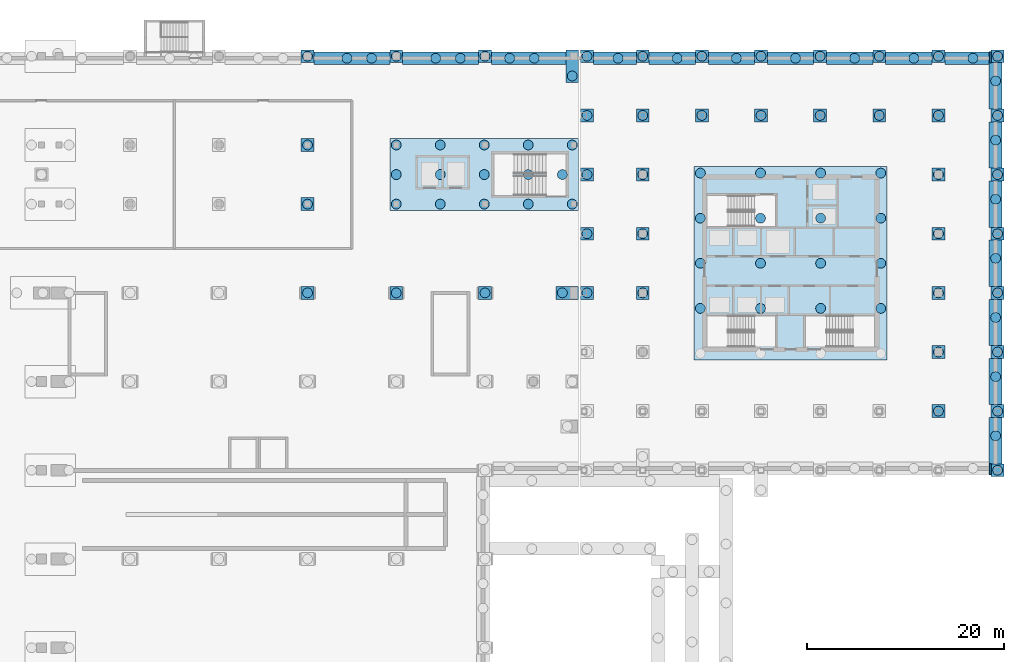
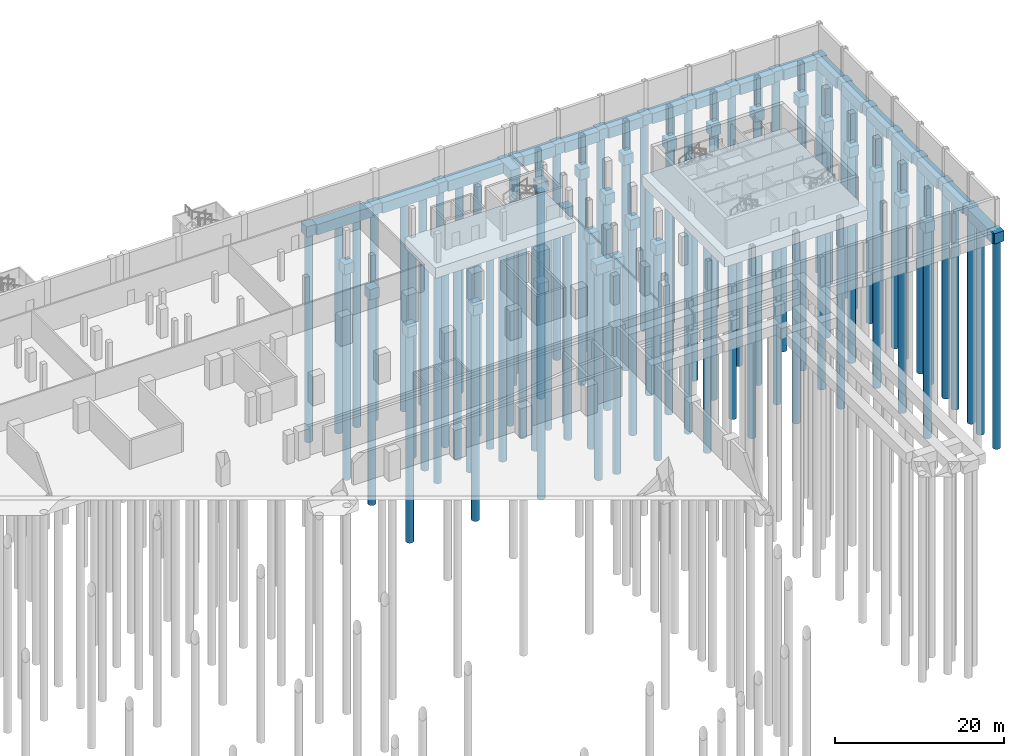
# One storey, part 5 of 29: 94 piles, 64 footings.
"""IFC4 building model written with IfcOpenShell, lengths in metres."""

from ifc_helpers import new_model, si_unit, direction, frame, origin, origin_2d, place, context, subcontext, project, spatial, rectangle, circle, extrude, material, material_profile, profile_set, type_object, element, save


model = new_model("IFC4")

# Units and contexts
model_context = context("Model", 3, precision=1e-05, world=origin(), true_north=direction((0.0, 1.0)))
body_context = subcontext(model_context, "Body", "Model", "MODEL_VIEW")
ifc_project = project(units=[si_unit("LENGTHUNIT", "METRE"), si_unit("AREAUNIT", "SQUARE_METRE"), si_unit("VOLUMEUNIT", "CUBIC_METRE"), si_unit("PLANEANGLEUNIT", "RADIAN"), si_unit("MASSUNIT", "GRAM", prefix="KILO")], contexts=[model_context])

# Site, building, storey
site_placement = place(None, origin())
site = spatial("IfcSite", under=ifc_project, at=site_placement, CompositionType="ELEMENT")
building_placement = place(site_placement, origin())
building = spatial("IfcBuilding", under=site, at=building_placement, Name="Aravalli Gate Trade Fair Centre", CompositionType="ELEMENT")
storey_placement = place(building_placement, frame((0.0, 0.0, -8.39990234375)))
storey = spatial("IfcBuildingStorey", under=building, at=storey_placement, Name="B2", CompositionType="ELEMENT", Elevation=-8.39990234375)

# Piles
ifc_material = material(Name="Concrete M35", Category="concrete")
ifc_material_profile = material_profile(ifc_material, circle(Radius=0.5, at=origin_2d()), Name="D1000")
ifc_profile_set = profile_set([ifc_material_profile], Name="Concrete M35")
pile_type = type_object("IfcPileType", Name="Basement bored pile D1000", PredefinedType="BORED", material=ifc_profile_set)
for number, where, z_axis, x_axis, name in (
    (1, (132.0, 109.0, -1.900146484375), (0.0, 0.0, -1.0), (1.0, 0.0, 0.0), "Basement bored pile W212-01"),
    (2, (141.0, 109.0, -1.900146484375), (0.0, 0.0, -1.0), (1.0, 0.0, 0.0), "Basement bored pile W213-01"),
    (3, (150.0, 109.0, -1.900146484375), (0.0, 0.0, -1.0), (1.0, 0.0, 0.0), "Basement bored pile W214-01"),
    (4, (157.85009765625, 109.0, -1.900146484375), (0.0, 0.0, -1.0), (1.0, 0.0, 0.0), "Basement bored pile W215-01"),
    (5, (132.0, 118.0, -1.900146484375), (0.0, 0.0, -1.0), (1.0, 0.0, 0.0), "Basement bored pile W229-01"),
    (6, (141.0, 118.0, -1.900146484375), (0.0, 0.0, -1.0), (1.0, 0.0, 0.0), "Basement bored pile W230-01"),
    (7, (141.0, 121.0, -1.900146484375), (0.0, 0.0, -1.0), (1.0, 0.0, 0.0), "Basement bored pile W230-02"),
    (8, (141.0, 124.0, -1.900146484375), (0.0, 0.0, -1.0), (1.0, 0.0, 0.0), "Basement bored pile W230-03"),
    (9, (145.46240234375, 118.0, -1.900146484375), (0.0, 0.0, -1.0), (1.0, 0.0, 0.0), "Basement bored pile W230-04"),
    (10, (145.46240234375, 121.0, -1.900146484375), (0.0, 0.0, -1.0), (1.0, 0.0, 0.0), "Basement bored pile W230-05"),
    (11, (145.46240234375, 124.0, -1.900146484375), (0.0, 0.0, -1.0), (1.0, 0.0, 0.0), "Basement bored pile W230-06"),
    (12, (149.925048828125, 118.0, -1.900146484375), (0.0, 0.0, -1.0), (1.0, 0.0, 0.0), "Basement bored pile W230-07"),
    (13, (149.925048828125, 121.0, -1.900146484375), (0.0, 0.0, -1.0), (1.0, 0.0, 0.0), "Basement bored pile W230-08"),
    (14, (149.925048828125, 124.0, -1.900146484375), (0.0, 0.0, -1.0), (1.0, 0.0, 0.0), "Basement bored pile W230-09"),
    (15, (154.387451171875, 118.0, -1.900146484375), (0.0, 0.0, -1.0), (1.0, 0.0, 0.0), "Basement bored pile W230-10"),
    (16, (154.387451171875, 121.0, -1.900146484375), (0.0, 0.0, -1.0), (1.0, 0.0, 0.0), "Basement bored pile W230-11"),
    (17, (154.387451171875, 124.0, -1.900146484375), (0.0, 0.0, -1.0), (1.0, 0.0, 0.0), "Basement bored pile W230-12"),
    (18, (157.85009765625, 121.0, -1.900146484375), (0.0, 0.0, -1.0), (1.0, 0.0, 0.0), "Basement bored pile W230-13"),
    (19, (158.85009765625, 118.0, -1.900146484375), (0.0, 0.0, -1.0), (1.0, 0.0, 0.0), "Basement bored pile W230-14"),
    (20, (158.85009765625, 124.0, -1.900146484375), (0.0, 0.0, -1.0), (1.0, 0.0, 0.0), "Basement bored pile W230-15"),
    (21, (132.0, 124.0, -1.900146484375), (0.0, 0.0, -1.0), (1.0, 0.0, 0.0), "Basement bored pile W251-01"),
    (22, (158.85009765625, 131.0, -1.900146484375), (0.0, 0.0, -1.0), (1.0, 0.0, 0.0), "Basement bored pile W258-01"),
    (23, (136.0, 132.800048828125, -1.900146484375), (0.0, 0.0, -1.0), (1.0, 0.0, 0.0), "Basement bored pile W274-01"),
    (24, (138.5, 132.800048828125, -1.900146484375), (0.0, 0.0, -1.0), (1.0, 0.0, 0.0), "Basement bored pile W274-02"),
    (25, (145.0, 132.800048828125, -1.900146484375), (0.0, 0.0, -1.0), (1.0, 0.0, 0.0), "Basement bored pile W275-01"),
    (26, (147.5, 132.800048828125, -1.900146484375), (0.0, 0.0, -1.0), (1.0, 0.0, 0.0), "Basement bored pile W275-02"),
    (27, (152.5, 132.800048828125, -1.900146484375), (0.0, 0.0, -1.0), (1.0, 0.0, 0.0), "Basement bored pile W276-01"),
    (28, (155.0, 132.800048828125, -1.900146484375), (0.0, 0.0, -1.0), (1.0, 0.0, 0.0), "Basement bored pile W276-02"),
    (29, (132.0, 133.0, -1.900146484375), (0.0, 0.0, -1.0), (1.0, 0.0, 0.0), "Basement bored pile W290-01"),
    (30, (141.0, 133.0, -1.900146484375), (0.0, 0.0, -1.0), (1.0, 0.0, 0.0), "Basement bored pile W291-01"),
    (31, (150.0, 133.0, -1.900146484375), (0.0, 0.0, -1.0), (1.0, 0.0, 0.0), "Basement bored pile W292-01"),
    (32, (202.0, 91.0, -1.900146484375), (0.0, 0.0, -1.0), (1.0, 0.0, 0.0), "Basement bored pile E031-01"),
    (33, (201.800048828125, 94.5, -1.900146484375), (0.0, 0.0, -1.0), (1.0, 0.0, 0.0), "Basement bored pile E039-01"),
    (34, (196.0, 97.0, -1.900146484375), (0.0, 0.0, -1.0), (1.0, 0.0, 0.0), "Basement bored pile E046-01"),
    (35, (202.0, 97.0, -1.900146484375), (0.0, 0.0, -1.0), (1.0, 0.0, 0.0), "Basement bored pile E047-01"),
    (36, (201.800048828125, 100.5, -1.900146484375), (0.0, 0.0, -1.0), (1.0, 0.0, 0.0), "Basement bored pile E048-01"),
    (37, (171.85009765625, 107.425048828125, -1.900146484375), (0.0, 0.0, -1.0), (1.0, 0.0, 0.0), "Basement bored pile E049-02"),
    (38, (171.85009765625, 112.0, -1.900146484375), (0.0, 0.0, -1.0), (1.0, 0.0, 0.0), "Basement bored pile E049-03"),
    (39, (171.85009765625, 116.574951171875, -1.900146484375), (0.0, 0.0, -1.0), (1.0, 0.0, 0.0), "Basement bored pile E049-04"),
    (40, (171.85009765625, 121.14990234375, -1.900146484375), (0.0, 0.0, -1.0), (1.0, 0.0, 0.0), "Basement bored pile E049-05"),
    (41, (177.949951171875, 107.425048828125, -1.900146484375), (0.0, 0.0, -1.0), (1.0, 0.0, 0.0), "Basement bored pile E049-07"),
    (42, (177.949951171875, 112.0, -1.900146484375), (0.0, 0.0, -1.0), (1.0, 0.0, 0.0), "Basement bored pile E049-08"),
    (43, (177.949951171875, 116.574951171875, -1.900146484375), (0.0, 0.0, -1.0), (1.0, 0.0, 0.0), "Basement bored pile E049-09"),
    (44, (177.949951171875, 121.14990234375, -1.900146484375), (0.0, 0.0, -1.0), (1.0, 0.0, 0.0), "Basement bored pile E049-10"),
    (45, (184.050048828125, 107.425048828125, -1.900146484375), (0.0, 0.0, -1.0), (1.0, 0.0, 0.0), "Basement bored pile E049-12"),
    (46, (184.050048828125, 112.0, -1.900146484375), (0.0, 0.0, -1.0), (1.0, 0.0, 0.0), "Basement bored pile E049-13"),
    (47, (184.050048828125, 116.574951171875, -1.900146484375), (0.0, 0.0, -1.0), (1.0, 0.0, 0.0), "Basement bored pile E049-14"),
    (48, (184.050048828125, 121.14990234375, -1.900146484375), (0.0, 0.0, -1.0), (1.0, 0.0, 0.0), "Basement bored pile E049-15"),
    (49, (190.14990234375, 107.425048828125, -1.900146484375), (0.0, 0.0, -1.0), (1.0, 0.0, 0.0), "Basement bored pile E049-17"),
    (50, (190.14990234375, 112.0, -1.900146484375), (0.0, 0.0, -1.0), (1.0, 0.0, 0.0), "Basement bored pile E049-18"),
    (51, (190.14990234375, 116.574951171875, -1.900146484375), (0.0, 0.0, -1.0), (1.0, 0.0, 0.0), "Basement bored pile E049-19"),
    (52, (190.14990234375, 121.14990234375, -1.900146484375), (0.0, 0.0, -1.0), (1.0, 0.0, 0.0), "Basement bored pile E049-20"),
    (53, (196.0, 103.0, -1.900146484375), (0.0, 0.0, -1.0), (1.0, 0.0, 0.0), "Basement bored pile E052-01"),
    (54, (202.0, 103.0, -1.900146484375), (0.0, 0.0, -1.0), (1.0, 0.0, 0.0), "Basement bored pile E053-01"),
    (55, (201.800048828125, 106.5, -1.900146484375), (0.0, 0.0, -1.0), (1.0, 0.0, 0.0), "Basement bored pile E054-01"),
    (56, (160.35009765625, 109.0, -1.900146484375), (0.0, 0.0, -1.0), (1.0, 0.0, 0.0), "Basement bored pile E055-01"),
    (57, (166.0, 109.0, -1.900146484375), (0.0, 0.0, -1.0), (1.0, 0.0, 0.0), "Basement bored pile E056-01"),
    (58, (196.0, 109.0, -1.900146484375), (0.0, 0.0, -1.0), (1.0, 0.0, 0.0), "Basement bored pile E057-01"),
    (59, (202.0, 109.0, -1.900146484375), (0.0, 0.0, -1.0), (1.0, 0.0, 0.0), "Basement bored pile E058-01"),
    (60, (201.800048828125, 112.5, -1.900146484375), (0.0, 0.0, -1.0), (1.0, 0.0, 0.0), "Basement bored pile E059-01"),
    (61, (160.35009765625, 115.0, -1.900146484375), (0.0, 0.0, -1.0), (1.0, 0.0, 0.0), "Basement bored pile E060-01"),
    (62, (166.0, 115.0, -1.900146484375), (0.0, 0.0, -1.0), (1.0, 0.0, 0.0), "Basement bored pile E061-01"),
    (63, (196.0, 115.0, -1.900146484375), (0.0, 0.0, -1.0), (1.0, 0.0, 0.0), "Basement bored pile E062-01"),
    (64, (202.0, 115.0, -1.900146484375), (0.0, 0.0, -1.0), (1.0, 0.0, 0.0), "Basement bored pile E063-01"),
    (65, (201.800048828125, 118.5, -1.900146484375), (0.0, 0.0, -1.0), (1.0, 0.0, 0.0), "Basement bored pile E064-01"),
    (66, (160.35009765625, 121.0, -1.900146484375), (0.0, 0.0, -1.0), (1.0, 0.0, 0.0), "Basement bored pile E065-01"),
    (67, (166.0, 121.0, -1.900146484375), (0.0, 0.0, -1.0), (1.0, 0.0, 0.0), "Basement bored pile E066-01"),
    (68, (196.0, 121.0, -1.900146484375), (0.0, 0.0, -1.0), (1.0, 0.0, 0.0), "Basement bored pile E067-01"),
    (69, (202.0, 121.0, -1.900146484375), (0.0, 0.0, -1.0), (1.0, 0.0, 0.0), "Basement bored pile E068-01"),
    (70, (201.800048828125, 124.5, -1.900146484375), (0.0, 0.0, -1.0), (1.0, 0.0, 0.0), "Basement bored pile E069-01"),
    (71, (160.35009765625, 127.0, -1.900146484375), (0.0, 0.0, -1.0), (1.0, 0.0, 0.0), "Basement bored pile E070-01"),
    (72, (166.0, 127.0, -1.900146484375), (0.0, 0.0, -1.0), (1.0, 0.0, 0.0), "Basement bored pile E071-01"),
    (73, (172.0, 127.0, -1.900146484375), (0.0, 0.0, -1.0), (1.0, 0.0, 0.0), "Basement bored pile E072-01"),
    (74, (178.0, 127.0, -1.900146484375), (0.0, 0.0, -1.0), (1.0, 0.0, 0.0), "Basement bored pile E073-01"),
    (75, (184.0, 127.0, -1.900146484375), (0.0, 0.0, -1.0), (1.0, 0.0, 0.0), "Basement bored pile E074-01"),
    (76, (190.0, 127.0, -1.900146484375), (0.0, 0.0, -1.0), (1.0, 0.0, 0.0), "Basement bored pile E075-01"),
    (77, (196.0, 127.0, -1.900146484375), (0.0, 0.0, -1.0), (1.0, 0.0, 0.0), "Basement bored pile E076-01"),
    (78, (202.0, 127.0, -1.900146484375), (0.0, 0.0, -1.0), (1.0, 0.0, 0.0), "Basement bored pile E077-01"),
    (79, (201.800048828125, 130.5, -1.900146484375), (0.0, 0.0, -1.0), (1.0, 0.0, 0.0), "Basement bored pile E078-01"),
    (80, (163.5, 132.800048828125, -1.900146484375), (0.0, 0.0, -1.0), (1.0, 0.0, 0.0), "Basement bored pile E079-01"),
    (81, (169.5, 132.800048828125, -1.900146484375), (0.0, 0.0, -1.0), (1.0, 0.0, 0.0), "Basement bored pile E080-01"),
    (82, (175.5, 132.800048828125, -1.900146484375), (0.0, 0.0, -1.0), (1.0, 0.0, 0.0), "Basement bored pile E081-01"),
    (83, (181.5, 132.800048828125, -1.900146484375), (0.0, 0.0, -1.0), (1.0, 0.0, 0.0), "Basement bored pile E082-01"),
    (84, (187.5, 132.800048828125, -1.900146484375), (0.0, 0.0, -1.0), (1.0, 0.0, 0.0), "Basement bored pile E083-01"),
    (85, (193.5, 132.800048828125, -1.900146484375), (0.0, 0.0, -1.0), (1.0, 0.0, 0.0), "Basement bored pile E084-01"),
    (86, (199.5, 132.800048828125, -1.900146484375), (0.0, 0.0, -1.0), (1.0, 0.0, 0.0), "Basement bored pile E085-01"),
    (87, (160.35009765625, 133.0, -1.900146484375), (0.0, 0.0, -1.0), (1.0, 0.0, 0.0), "Basement bored pile E086-01"),
    (88, (166.0, 133.0, -1.900146484375), (0.0, 0.0, -1.0), (1.0, 0.0, 0.0), "Basement bored pile E087-01"),
    (89, (172.0, 133.0, -1.900146484375), (0.0, 0.0, -1.0), (1.0, 0.0, 0.0), "Basement bored pile E088-01"),
    (90, (178.0, 133.0, -1.900146484375), (0.0, 0.0, -1.0), (1.0, 0.0, 0.0), "Basement bored pile E089-01"),
    (91, (184.0, 133.0, -1.900146484375), (0.0, 0.0, -1.0), (1.0, 0.0, 0.0), "Basement bored pile E090-01"),
    (92, (190.0, 133.0, -1.900146484375), (0.0, 0.0, -1.0), (1.0, 0.0, 0.0), "Basement bored pile E091-01"),
    (93, (196.0, 133.0, -1.900146484375), (0.0, 0.0, -1.0), (1.0, 0.0, 0.0), "Basement bored pile E092-01"),
    (94, (202.0, 133.0, -1.900146484375), (0.0, 0.0, -1.0), (1.0, 0.0, 0.0), "Basement bored pile E093-01"),
):
    element("IfcPile", number, at=place(storey_placement, frame(where, z_axis=z_axis, x_axis=x_axis)), inside=storey, type_object=pile_type, Name=name, PredefinedType="BORED", context=body_context, shape_type="SweptSolid", body=[
        extrude(circle(Radius=0.5, at=origin_2d()), origin(), (0.0, 0.0, 1.0), 30.0),
    ])

# Footings
footing_type_1 = type_object("IfcFootingType", Name="Basement ground beam 0.2 x 1.1", PredefinedType="FOOTING_BEAM", material=ifc_material)
for number, where, z_axis, x_axis, name in (
    (95, (201.25, 91.10009765625, -1.900146484375), (0.0, 0.0, 1.0), (1.0, 0.0, 0.0), "Basement pile cap E108"),
    (96, (201.25, 132.89990234375, -1.900146484375), (0.0, 0.0, 1.0), (1.0, 0.0, 0.0), "Basement pile cap E109"),
):
    element("IfcFooting", number, at=place(storey_placement, frame(where, z_axis=z_axis, x_axis=x_axis)), inside=storey, type_object=footing_type_1, Name=name, PredefinedType="FOOTING_BEAM", context=body_context, shape_type="SweptSolid", body=[
        extrude(rectangle(XDim=0.199951171875, YDim=1.10009765625, at=origin_2d()), origin(), (0.0, 0.0, 1.0), 1.5),
    ])
footing_type_2 = type_object("IfcFootingType", Name="Basement pile cap 1.3 x 1.3 (1 x 1 piles)", PredefinedType="PILE_CAP", material=ifc_material)
for number, where, z_axis, x_axis, name in (
    (97, (132.0, 109.0, -1.900146484375), (0.0, 0.0, 1.0), (1.0, 0.0, 0.0), "Basement pile cap W212"),
    (98, (141.0, 109.0, -1.900146484375), (0.0, 0.0, 1.0), (1.0, 0.0, 0.0), "Basement pile cap W213"),
    (99, (150.0, 109.0, -1.900146484375), (0.0, 0.0, 1.0), (1.0, 0.0, 0.0), "Basement pile cap W214"),
    (100, (132.0, 118.0, -1.900146484375), (0.0, 0.0, 1.0), (1.0, 0.0, 0.0), "Basement pile cap W229"),
    (101, (132.0, 124.0, -1.900146484375), (0.0, 0.0, 1.0), (1.0, 0.0, 0.0), "Basement pile cap W251"),
    (102, (132.0, 133.0, -1.900146484375), (0.0, 0.0, 1.0), (1.0, 0.0, 0.0), "Basement pile cap W290"),
    (103, (141.0, 133.0, -1.900146484375), (0.0, 0.0, 1.0), (1.0, 0.0, 0.0), "Basement pile cap W291"),
    (104, (150.0, 133.0, -1.900146484375), (0.0, 0.0, 1.0), (1.0, 0.0, 0.0), "Basement pile cap W292"),
    (105, (202.0, 91.0, -1.900146484375), (0.0, 0.0, 1.0), (1.0, 0.0, 0.0), "Basement pile cap E031"),
    (106, (196.0, 97.0, -1.900146484375), (0.0, 0.0, 1.0), (1.0, 0.0, 0.0), "Basement pile cap E046"),
    (107, (202.0, 97.0, -1.900146484375), (0.0, 0.0, 1.0), (1.0, 0.0, 0.0), "Basement pile cap E047"),
    (108, (196.0, 103.0, -1.900146484375), (0.0, 0.0, 1.0), (1.0, 0.0, 0.0), "Basement pile cap E052"),
    (109, (202.0, 103.0, -1.900146484375), (0.0, 0.0, 1.0), (1.0, 0.0, 0.0), "Basement pile cap E053"),
    (110, (160.35009765625, 109.0, -1.900146484375), (0.0, 0.0, 1.0), (1.0, 0.0, 0.0), "Basement pile cap E055"),
    (111, (166.0, 109.0, -1.900146484375), (0.0, 0.0, 1.0), (1.0, 0.0, 0.0), "Basement pile cap E056"),
    (112, (196.0, 109.0, -1.900146484375), (0.0, 0.0, 1.0), (1.0, 0.0, 0.0), "Basement pile cap E057"),
    (113, (202.0, 109.0, -1.900146484375), (0.0, 0.0, 1.0), (1.0, 0.0, 0.0), "Basement pile cap E058"),
    (114, (160.35009765625, 115.0, -1.900146484375), (0.0, 0.0, 1.0), (1.0, 0.0, 0.0), "Basement pile cap E060"),
    (115, (166.0, 115.0, -1.900146484375), (0.0, 0.0, 1.0), (1.0, 0.0, 0.0), "Basement pile cap E061"),
    (116, (196.0, 115.0, -1.900146484375), (0.0, 0.0, 1.0), (1.0, 0.0, 0.0), "Basement pile cap E062"),
    (117, (202.0, 115.0, -1.900146484375), (0.0, 0.0, 1.0), (1.0, 0.0, 0.0), "Basement pile cap E063"),
    (118, (160.35009765625, 121.0, -1.900146484375), (0.0, 0.0, 1.0), (1.0, 0.0, 0.0), "Basement pile cap E065"),
    (119, (166.0, 121.0, -1.900146484375), (0.0, 0.0, 1.0), (1.0, 0.0, 0.0), "Basement pile cap E066"),
    (120, (196.0, 121.0, -1.900146484375), (0.0, 0.0, 1.0), (1.0, 0.0, 0.0), "Basement pile cap E067"),
    (121, (202.0, 121.0, -1.900146484375), (0.0, 0.0, 1.0), (1.0, 0.0, 0.0), "Basement pile cap E068"),
    (122, (160.35009765625, 127.0, -1.900146484375), (0.0, 0.0, 1.0), (1.0, 0.0, 0.0), "Basement pile cap E070"),
    (123, (166.0, 127.0, -1.900146484375), (0.0, 0.0, 1.0), (1.0, 0.0, 0.0), "Basement pile cap E071"),
    (124, (172.0, 127.0, -1.900146484375), (0.0, 0.0, 1.0), (1.0, 0.0, 0.0), "Basement pile cap E072"),
    (125, (178.0, 127.0, -1.900146484375), (0.0, 0.0, 1.0), (1.0, 0.0, 0.0), "Basement pile cap E073"),
    (126, (184.0, 127.0, -1.900146484375), (0.0, 0.0, 1.0), (1.0, 0.0, 0.0), "Basement pile cap E074"),
    (127, (190.0, 127.0, -1.900146484375), (0.0, 0.0, 1.0), (1.0, 0.0, 0.0), "Basement pile cap E075"),
    (128, (196.0, 127.0, -1.900146484375), (0.0, 0.0, 1.0), (1.0, 0.0, 0.0), "Basement pile cap E076"),
    (129, (202.0, 127.0, -1.900146484375), (0.0, 0.0, 1.0), (1.0, 0.0, 0.0), "Basement pile cap E077"),
    (130, (160.35009765625, 133.0, -1.900146484375), (0.0, 0.0, 1.0), (1.0, 0.0, 0.0), "Basement pile cap E086"),
    (131, (166.0, 133.0, -1.900146484375), (0.0, 0.0, 1.0), (1.0, 0.0, 0.0), "Basement pile cap E087"),
    (132, (172.0, 133.0, -1.900146484375), (0.0, 0.0, 1.0), (1.0, 0.0, 0.0), "Basement pile cap E088"),
    (133, (178.0, 133.0, -1.900146484375), (0.0, 0.0, 1.0), (1.0, 0.0, 0.0), "Basement pile cap E089"),
    (134, (184.0, 133.0, -1.900146484375), (0.0, 0.0, 1.0), (1.0, 0.0, 0.0), "Basement pile cap E090"),
    (135, (190.0, 133.0, -1.900146484375), (0.0, 0.0, 1.0), (1.0, 0.0, 0.0), "Basement pile cap E091"),
    (136, (196.0, 133.0, -1.900146484375), (0.0, 0.0, 1.0), (1.0, 0.0, 0.0), "Basement pile cap E092"),
    (137, (202.0, 133.0, -1.900146484375), (0.0, 0.0, 1.0), (1.0, 0.0, 0.0), "Basement pile cap E093"),
):
    element("IfcFooting", number, at=place(storey_placement, frame(where, z_axis=z_axis, x_axis=x_axis)), inside=storey, type_object=footing_type_2, Name=name, PredefinedType="PILE_CAP", context=body_context, shape_type="SweptSolid", body=[
        extrude(rectangle(XDim=1.300048828125, YDim=1.300048828125, at=origin_2d()), origin(), (0.0, 0.0, 1.0), 1.5),
    ])
footing_type_3 = type_object("IfcFootingType", Name="Basement pile cap 1.3 x 3.3 (1 x 1 piles)", PredefinedType="PILE_CAP", material=ifc_material)
footing_1_placement = place(storey_placement, frame((158.85009765625, 132.0, -1.900146484375), z_axis=(0.0, 0.0, 1.0), x_axis=(1.0, 0.0, 0.0)))
element("IfcFooting", 138, at=footing_1_placement, inside=storey, type_object=footing_type_3, Name="Basement pile cap W258", PredefinedType="PILE_CAP", context=body_context, shape_type="SweptSolid", body=[
    extrude(rectangle(XDim=1.300048828125, YDim=3.300048828125, at=origin_2d()), origin(), (0.0, 0.0, 1.0), 1.5),
])
footing_type_4 = type_object("IfcFootingType", Name="Basement pile cap 1.3 x 4.7 (1 x 1 piles)", PredefinedType="PILE_CAP", material=ifc_material)
for number, where, z_axis, x_axis, name in (
    (139, (201.800048828125, 94.0, -1.900146484375), (0.0, 0.0, 1.0), (1.0, 0.0, 0.0), "Basement pile cap E039"),
    (140, (201.800048828125, 100.0, -1.900146484375), (0.0, 0.0, 1.0), (1.0, 0.0, 0.0), "Basement pile cap E048"),
    (141, (201.800048828125, 106.0, -1.900146484375), (0.0, 0.0, 1.0), (1.0, 0.0, 0.0), "Basement pile cap E054"),
    (142, (201.800048828125, 112.0, -1.900146484375), (0.0, 0.0, 1.0), (1.0, 0.0, 0.0), "Basement pile cap E059"),
    (143, (201.800048828125, 118.0, -1.900146484375), (0.0, 0.0, 1.0), (1.0, 0.0, 0.0), "Basement pile cap E064"),
    (144, (201.800048828125, 124.0, -1.900146484375), (0.0, 0.0, 1.0), (1.0, 0.0, 0.0), "Basement pile cap E069"),
    (145, (201.800048828125, 130.0, -1.900146484375), (0.0, 0.0, 1.0), (1.0, 0.0, 0.0), "Basement pile cap E078"),
):
    element("IfcFooting", number, at=place(storey_placement, frame(where, z_axis=z_axis, x_axis=x_axis)), inside=storey, type_object=footing_type_4, Name=name, PredefinedType="PILE_CAP", context=body_context, shape_type="SweptSolid", body=[
        extrude(rectangle(XDim=1.300048828125, YDim=4.699951171875, at=origin_2d()), origin(), (0.0, 0.0, 1.0), 1.5),
    ])
footing_type_5 = type_object("IfcFootingType", Name="Basement pile cap 19.15 x 7.3 (5 x 3 piles)", PredefinedType="PILE_CAP", material=ifc_material)
footing_2_placement = place(storey_placement, frame((149.925048828125, 121.0, -1.900146484375), z_axis=(0.0, 0.0, 1.0), x_axis=(1.0, 0.0, 0.0)))
element("IfcFooting", 146, at=footing_2_placement, inside=storey, type_object=footing_type_5, Name="Basement pile cap W230", PredefinedType="PILE_CAP", context=body_context, shape_type="SweptSolid", body=[
    extrude(rectangle(XDim=19.14990234375, YDim=7.300048828125, at=origin_2d()), origin(), (0.0, 0.0, 1.0), 1.5),
])
footing_type_6 = type_object("IfcFootingType", Name="Basement pile cap 19.6 x 19.6 (4 x 5 piles)", PredefinedType="PILE_CAP", material=ifc_material)
footing_3_placement = place(storey_placement, frame((181.0, 112.0, -1.900146484375), z_axis=(0.0, 0.0, 1.0), x_axis=(1.0, 0.0, 0.0)))
element("IfcFooting", 147, at=footing_3_placement, inside=storey, type_object=footing_type_6, Name="Basement pile cap E049", PredefinedType="PILE_CAP", context=body_context, shape_type="SweptSolid", body=[
    extrude(rectangle(XDim=19.60009765625, YDim=19.60009765625, at=origin_2d()), origin(), (0.0, 0.0, 1.0), 1.5),
])
footing_type_7 = type_object("IfcFootingType", Name="Basement pile cap 2.3 x 1.3 (1 x 1 piles)", PredefinedType="PILE_CAP", material=ifc_material)
footing_4_placement = place(storey_placement, frame((158.35009765625, 109.0, -1.900146484375), z_axis=(0.0, 0.0, 1.0), x_axis=(1.0, 0.0, 0.0)))
element("IfcFooting", 148, at=footing_4_placement, inside=storey, type_object=footing_type_7, Name="Basement pile cap W215", PredefinedType="PILE_CAP", context=body_context, shape_type="SweptSolid", body=[
    extrude(rectangle(XDim=2.300048828125, YDim=1.300048828125, at=origin_2d()), origin(), (0.0, 0.0, 1.0), 1.5),
])
footing_type_8 = type_object("IfcFootingType", Name="Basement pile cap 4.35 x 1.3 (1 x 1 piles)", PredefinedType="PILE_CAP", material=ifc_material)
footing_5_placement = place(storey_placement, frame((163.175048828125, 132.800048828125, -1.900146484375), z_axis=(0.0, 0.0, 1.0), x_axis=(1.0, 0.0, 0.0)))
element("IfcFooting", 149, at=footing_5_placement, inside=storey, type_object=footing_type_8, Name="Basement pile cap E079", PredefinedType="PILE_CAP", context=body_context, shape_type="SweptSolid", body=[
    extrude(rectangle(XDim=4.35009765625, YDim=1.300048828125, at=origin_2d()), origin(), (0.0, 0.0, 1.0), 1.5),
])
footing_type_9 = type_object("IfcFootingType", Name="Basement pile cap 4.5 x 1.3 (1 x 1 piles)", PredefinedType="PILE_CAP", material=ifc_material)
footing_6_placement = place(storey_placement, frame((198.89990234375, 132.800048828125, -1.900146484375), z_axis=(0.0, 0.0, 1.0), x_axis=(1.0, 0.0, 0.0)))
element("IfcFooting", 150, at=footing_6_placement, inside=storey, type_object=footing_type_9, Name="Basement pile cap E085", PredefinedType="PILE_CAP", context=body_context, shape_type="SweptSolid", body=[
    extrude(rectangle(XDim=4.5, YDim=1.300048828125, at=origin_2d()), origin(), (0.0, 0.0, 1.0), 1.5),
])
footing_type_10 = type_object("IfcFootingType", Name="Basement pile cap 4.7 x 1.3 (1 x 1 piles)", PredefinedType="PILE_CAP", material=ifc_material)
for number, where, z_axis, x_axis, name in (
    (151, (169.0, 132.800048828125, -1.900146484375), (0.0, 0.0, 1.0), (1.0, 0.0, 0.0), "Basement pile cap E080"),
    (152, (175.0, 132.800048828125, -1.900146484375), (0.0, 0.0, 1.0), (1.0, 0.0, 0.0), "Basement pile cap E081"),
    (153, (181.0, 132.800048828125, -1.900146484375), (0.0, 0.0, 1.0), (1.0, 0.0, 0.0), "Basement pile cap E082"),
    (154, (187.0, 132.800048828125, -1.900146484375), (0.0, 0.0, 1.0), (1.0, 0.0, 0.0), "Basement pile cap E083"),
    (155, (193.0, 132.800048828125, -1.900146484375), (0.0, 0.0, 1.0), (1.0, 0.0, 0.0), "Basement pile cap E084"),
):
    element("IfcFooting", number, at=place(storey_placement, frame(where, z_axis=z_axis, x_axis=x_axis)), inside=storey, type_object=footing_type_10, Name=name, PredefinedType="PILE_CAP", context=body_context, shape_type="SweptSolid", body=[
        extrude(rectangle(XDim=4.699951171875, YDim=1.300048828125, at=origin_2d()), origin(), (0.0, 0.0, 1.0), 1.5),
    ])
footing_type_11 = type_object("IfcFootingType", Name="Basement pile cap 7.55 x 1.3 (2 x 1 piles)", PredefinedType="PILE_CAP", material=ifc_material)
footing_7_placement = place(storey_placement, frame((154.425048828125, 132.800048828125, -1.900146484375), z_axis=(0.0, 0.0, 1.0), x_axis=(1.0, 0.0, 0.0)))
element("IfcFooting", 156, at=footing_7_placement, inside=storey, type_object=footing_type_11, Name="Basement pile cap W276", PredefinedType="PILE_CAP", context=body_context, shape_type="SweptSolid", body=[
    extrude(rectangle(XDim=7.550048828125, YDim=1.300048828125, at=origin_2d()), origin(), (0.0, 0.0, 1.0), 1.5),
])
footing_type_12 = type_object("IfcFootingType", Name="Basement pile cap 7.7 x 1.3 (2 x 1 piles)", PredefinedType="PILE_CAP", material=ifc_material)
for number, where, z_axis, x_axis, name in (
    (157, (136.5, 132.800048828125, -1.900146484375), (0.0, 0.0, 1.0), (1.0, 0.0, 0.0), "Basement pile cap W274"),
    (158, (145.5, 132.800048828125, -1.900146484375), (0.0, 0.0, 1.0), (1.0, 0.0, 0.0), "Basement pile cap W275"),
):
    element("IfcFooting", number, at=place(storey_placement, frame(where, z_axis=z_axis, x_axis=x_axis)), inside=storey, type_object=footing_type_12, Name=name, PredefinedType="PILE_CAP", context=body_context, shape_type="SweptSolid", body=[
        extrude(rectangle(XDim=7.699951171875, YDim=1.300048828125, at=origin_2d()), origin(), (0.0, 0.0, 1.0), 1.5),
    ])

save(model, "model.ifc")
